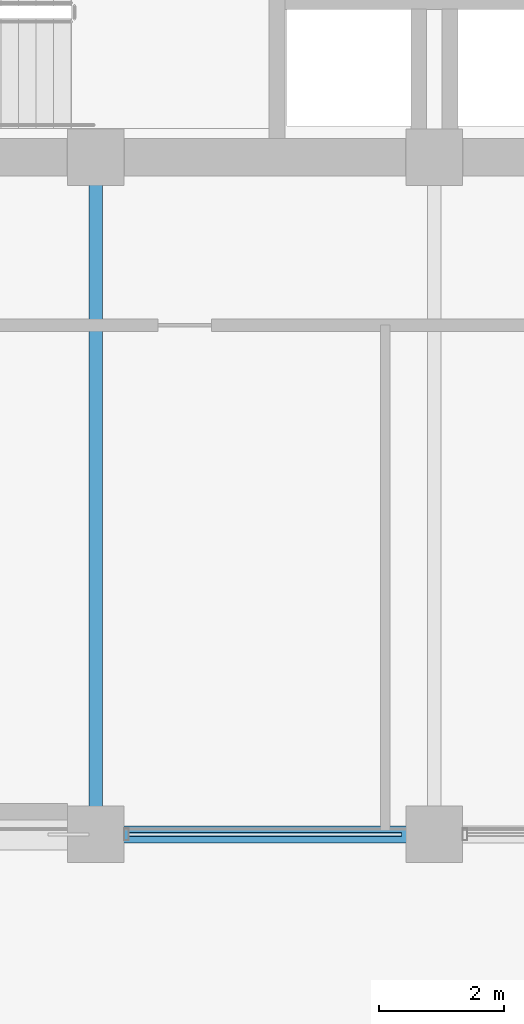
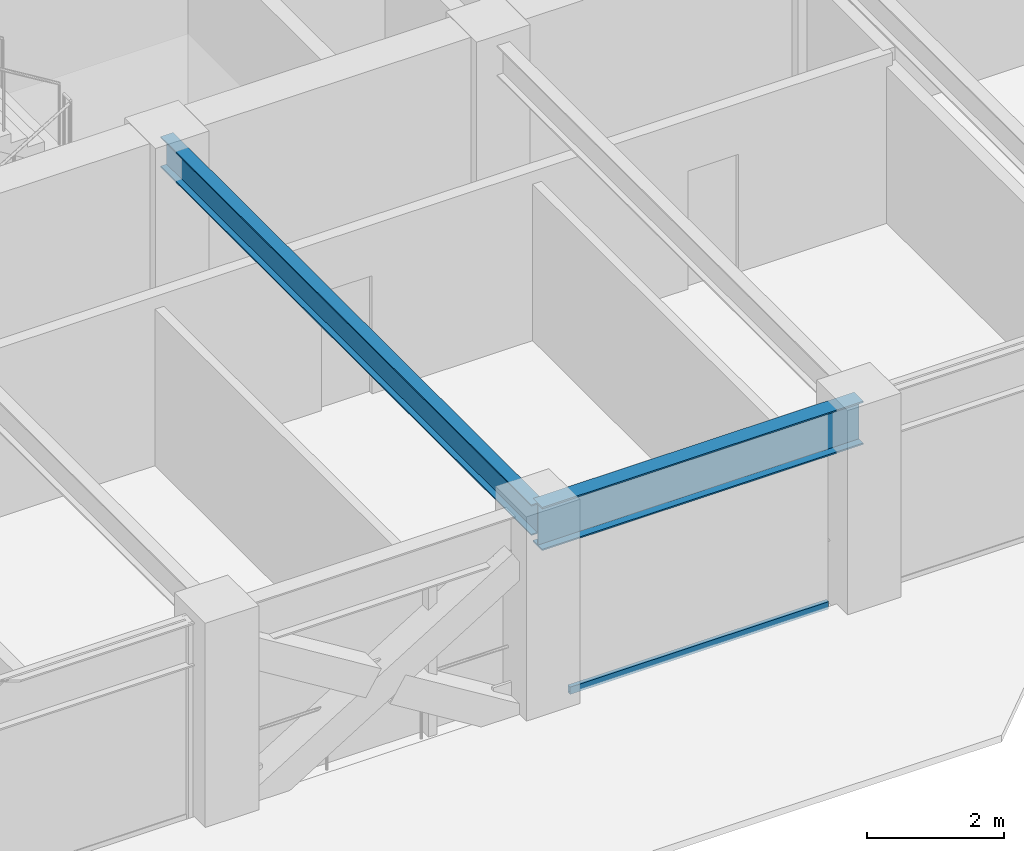
# One storey, part 6 of 36: 2 beams, 1 member, 1 element without a shape of its own.
"""IFC4 building model written with IfcOpenShell, lengths in metres."""

from ifc_helpers import new_model, si_unit, direction, frame, origin, origin_2d, place, context, subcontext, project, spatial, hollow_rectangle, i_section, extrude, material, layer, layer_set, material_profile, profile_set, type_object, element, aggregate, save


model = new_model("IFC4")

# Units and contexts
model_context = context("Model", 3, precision=1e-05, world=origin(), true_north=direction((0.0, 1.0)))
body_context = subcontext(model_context, "Body", "Model", "MODEL_VIEW")
ifc_project = project(units=[si_unit("LENGTHUNIT", "METRE"), si_unit("AREAUNIT", "SQUARE_METRE"), si_unit("VOLUMEUNIT", "CUBIC_METRE"), si_unit("PLANEANGLEUNIT", "RADIAN"), si_unit("MASSUNIT", "GRAM", prefix="KILO")], contexts=[model_context])

# Site, building, storey
site_placement = place(None, origin())
site = spatial("IfcSite", under=ifc_project, at=site_placement, CompositionType="ELEMENT")
building_placement = place(site_placement, origin())
building = spatial("IfcBuilding", under=site, at=building_placement, Name="Surkhivell Harbour Commons", CompositionType="ELEMENT")
storey_placement = place(building_placement, frame((0.0, 0.0, 171.0)))
storey = spatial("IfcBuildingStorey", under=building, at=storey_placement, Name="L44", CompositionType="ELEMENT", Elevation=171.0)

# Beams
ifc_material_1 = material(Name="Steel S355", Category="steel")
ifc_material_profile_1 = material_profile(ifc_material_1, i_section(OverallWidth=0.2119140625, OverallDepth=0.5439453125, WebThickness=0.0126953125, FlangeThickness=0.021240234375, at=origin_2d()), Name="UB533x210x122")
ifc_profile_set_1 = profile_set([ifc_material_profile_1], Name="Steel S355")
beam_type_1 = type_object("IfcBeamType", Name="BM-GRD-533A", PredefinedType="BEAM", material=ifc_profile_set_1)
beam_1_placement = place(storey_placement, frame((-5.39990234375, -21.60009765625, 3.298095703125), z_axis=(0.0, 1.0, 0.0), x_axis=(-1.0, 0.0, 0.0)))
element("IfcBeam", 1, at=beam_1_placement, inside=storey, type_object=beam_type_1, Name="L44 Floor Girder (-5.4,-21.6)", PredefinedType="BEAM", context=body_context, shape_type="SweptSolid", body=[
    extrude(i_section(OverallWidth=0.2119140625, OverallDepth=0.5439453125, WebThickness=0.0126953125, FlangeThickness=0.021240234375, at=origin_2d()), origin(), (0.0, 0.0, 1.0), 10.800048828125),
])
ifc_material_profile_2 = material_profile(ifc_material_1, i_section(OverallWidth=0.26806640625, OverallDepth=0.77001953125, WebThickness=0.015625, FlangeThickness=0.025390625, at=origin_2d()), Name="UB762x267x197")
ifc_profile_set_2 = profile_set([ifc_material_profile_2], Name="Steel S355")
beam_type_2 = type_object("IfcBeamType", Name="BM-SPN-762", PredefinedType="SPANDREL", material=ifc_profile_set_2)
beam_2_placement = place(storey_placement, frame((-5.39990234375, -21.60009765625, 3.18505859375), z_axis=(1.0, 0.0, 0.0), x_axis=(0.0, 1.0, 0.0)))
element("IfcBeam", 2, at=beam_2_placement, inside=storey, type_object=beam_type_2, Name="L44 Tube Spandrel (-5.4,-21.6)", PredefinedType="SPANDREL", context=body_context, shape_type="SweptSolid", body=[
    extrude(i_section(OverallWidth=0.26806640625, OverallDepth=0.77001953125, WebThickness=0.015625, FlangeThickness=0.025390625, at=origin_2d()), origin(), (0.0, 0.0, 1.0), 5.39990234375),
])

# Curtain wall, member
ifc_material_2 = material(Name="Anodised pale-metal aluminium and insulated glazing", Category="aluminium")
ifc_layer = layer(ifc_material_2, 0.18994140625)
ifc_layer_set = layer_set([ifc_layer], Name="Anodised pale-metal aluminium and insulated glazing")
curtain_wall_type = type_object("IfcCurtainWallType", Name="CW-SYS-Z3", PredefinedType="NOTDEFINED", material=ifc_layer_set)
curtain_wall_placement = place(storey_placement, origin())
curtain_wall = element("IfcCurtainWall", 3, at=curtain_wall_placement, inside=storey, type_object=curtain_wall_type, Name="L44 Curtain Wall CW-L44-E00S2", PredefinedType="NOTDEFINED")
ifc_material_3 = material(Name="Champagne anodised aluminium alloy 6063-T6", Category="aluminium")
ifc_material_profile_3 = material_profile(ifc_material_3, hollow_rectangle(XDim=0.070068359375, YDim=0.1298828125, WallThickness=0.00341796875, at=origin_2d()), Name="ALU-TRAN-70x130")
ifc_profile_set_3 = profile_set([ifc_material_profile_3], Name="Champagne anodised aluminium alloy 6063-T6")
member_type = type_object("IfcMemberType", Name="CWT-130", PredefinedType="USERDEFINED", material=ifc_profile_set_3)
member_placement = place(storey_placement, frame((-4.873046875, -21.60009765625, 0.06494140625), z_axis=(1.0, 0.0, 0.0), x_axis=(0.0, 1.0, 0.0)))
member = element("IfcMember", 4, at=member_placement, type_object=member_type, Name="CW-Z3 transom 1.1", ObjectType="TRANSOM", PredefinedType="USERDEFINED", context=body_context, shape_type="SweptSolid", body=[
    extrude(hollow_rectangle(XDim=0.070068359375, YDim=0.1298828125, WallThickness=0.00341796875, at=origin_2d()), origin(), (0.0, 0.0, 1.0), 4.345947265625),
])
aggregate(curtain_wall, [member])

save(model, "model.ifc")
